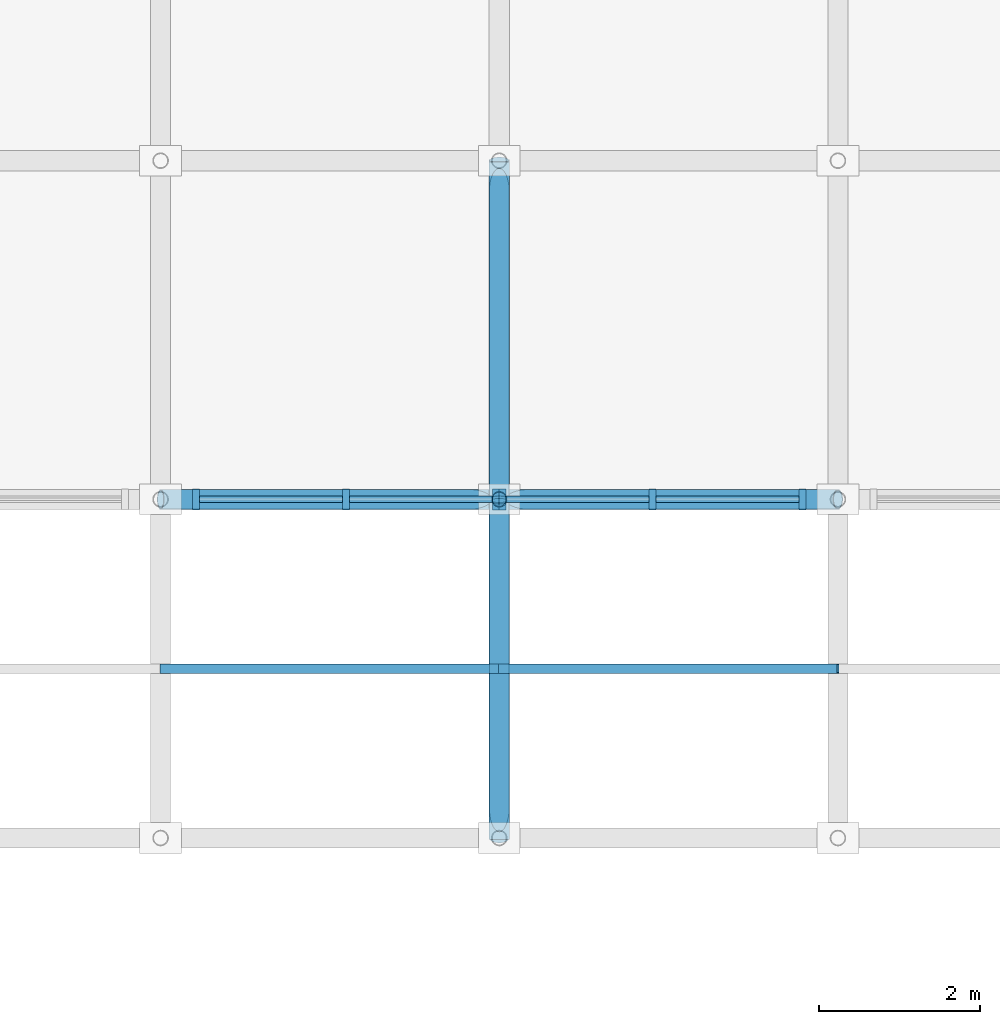
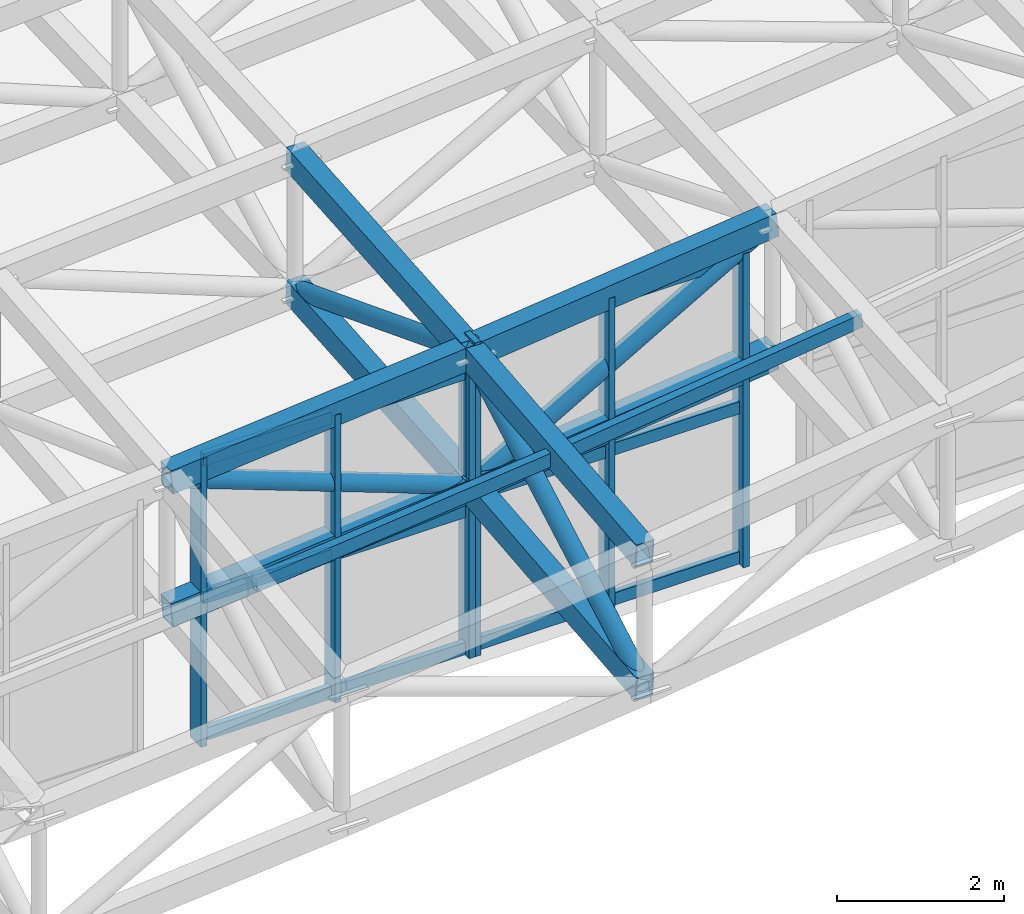
# One storey, part 41 of 111: 33 members, 2 elements without a shape of their own.
"""IFC4 building model written with IfcOpenShell, lengths in metres."""

from ifc_helpers import new_model, si_unit, direction, frame, origin, origin_2d, place, context, subcontext, project, spatial, rectangle, hollow_rectangle, hollow_circle, extrude, material, material_profile, profile_set, type_object, element, aggregate, save


model = new_model("IFC4")

# Units and contexts
model_context = context("Model", 3, precision=1e-05, world=origin(), true_north=direction((0.0, 1.0)))
body_context = subcontext(model_context, "Body", "Model", "MODEL_VIEW")
ifc_project = project(units=[si_unit("LENGTHUNIT", "METRE"), si_unit("AREAUNIT", "SQUARE_METRE"), si_unit("VOLUMEUNIT", "CUBIC_METRE"), si_unit("PLANEANGLEUNIT", "RADIAN"), si_unit("MASSUNIT", "GRAM", prefix="KILO")], contexts=[model_context])

# Site, building, storey
site_placement = place(None, origin())
site = spatial("IfcSite", under=ifc_project, at=site_placement, CompositionType="ELEMENT")
building_placement = place(site_placement, origin())
building = spatial("IfcBuilding", under=site, at=building_placement, Name="Cumbredor Promenade Congress Hotel", CompositionType="ELEMENT")
storey_placement = place(building_placement, frame((0.0, 0.0, 15.1201171875)))
storey = spatial("IfcBuildingStorey", under=building, at=storey_placement, Name="L04", CompositionType="ELEMENT", Elevation=15.1201171875)

# Curtain wall, members
ifc_material_1 = material(Name="Thermally broken anodized aluminium and low-E glass", Category="aluminium")
curtain_wall_type = type_object("IfcCurtainWallType", Name="Stepped Pavilion Clerestory Curtain Wall CW-06", PredefinedType="NOTDEFINED", material=ifc_material_1)
curtain_wall_1_placement = place(storey_placement, origin())
curtain_wall_1 = element("IfcCurtainWall", 1, at=curtain_wall_1_placement, inside=storey, type_object=curtain_wall_type, Name="Pre-Function and Breakout Meeting Forum S Glazed Clerestory 15", PredefinedType="NOTDEFINED")
ifc_material_2 = material(Name="Thermally broken anodized aluminium", Category="aluminium")
ifc_material_profile_1 = material_profile(ifc_material_2, rectangle(XDim=0.0849609375, YDim=0.260009765625, at=origin_2d()), Name="ALU MULLION CLERESTORY 85x260")
ifc_profile_set_1 = profile_set([ifc_material_profile_1], Name="Thermally broken anodized aluminium")
member_type_1 = type_object("IfcMemberType", Name="Curtain Wall Mullion ML-04", PredefinedType="MULLION", material=ifc_profile_set_1)
member_1_placement = place(storey_placement, frame((151.639892578125, 84.0, -0.01806640625), z_axis=(0.0, 0.0, 1.0), x_axis=(1.0, 0.0, 0.0)))
member_1 = element("IfcMember", 2, at=member_1_placement, type_object=member_type_1, Name="Pre-Function and Breakout Meeting Forum S Glazed Clerestory 15 Mullion 1", PredefinedType="MULLION", context=body_context, shape_type="SweptSolid", body=[
    extrude(rectangle(XDim=0.0849609375, YDim=0.260009765625, at=origin_2d()), origin(), (0.0, 0.0, 1.0), 4.221435546875),
])
member_2_placement = place(storey_placement, frame((153.5, 84.0, -0.01806640625), z_axis=(0.0, 0.0, 1.0), x_axis=(1.0, 0.0, 0.0)))
member_2 = element("IfcMember", 3, at=member_2_placement, type_object=member_type_1, Name="Pre-Function and Breakout Meeting Forum S Glazed Clerestory 15 Mullion 2", PredefinedType="MULLION", context=body_context, shape_type="SweptSolid", body=[
    extrude(rectangle(XDim=0.0849609375, YDim=0.260009765625, at=origin_2d()), origin(), (0.0, 0.0, 1.0), 4.221435546875),
])
member_3_placement = place(storey_placement, frame((155.360107421875, 84.0, -0.01806640625), z_axis=(0.0, 0.0, 1.0), x_axis=(1.0, 0.0, 0.0)))
member_3 = element("IfcMember", 4, at=member_3_placement, type_object=member_type_1, Name="Pre-Function and Breakout Meeting Forum S Glazed Clerestory 15 Mullion 3", PredefinedType="MULLION", context=body_context, shape_type="SweptSolid", body=[
    extrude(rectangle(XDim=0.0849609375, YDim=0.260009765625, at=origin_2d()), origin(), (0.0, 0.0, 1.0), 4.221435546875),
])

curtain_wall_2_placement = place(storey_placement, origin())
curtain_wall_2 = element("IfcCurtainWall", 5, at=curtain_wall_2_placement, inside=storey, type_object=curtain_wall_type, Name="Pre-Function and Breakout Meeting Forum S Glazed Clerestory 16", PredefinedType="NOTDEFINED")
member_4_placement = place(storey_placement, frame((155.43994140625, 84.0, -0.01806640625), z_axis=(0.0, 0.0, 1.0), x_axis=(1.0, 0.0, 0.0)))
member_4 = element("IfcMember", 6, at=member_4_placement, type_object=member_type_1, Name="Pre-Function and Breakout Meeting Forum S Glazed Clerestory 16 Mullion 1", PredefinedType="MULLION", context=body_context, shape_type="SweptSolid", body=[
    extrude(rectangle(XDim=0.0849609375, YDim=0.260009765625, at=origin_2d()), origin(), (0.0, 0.0, 1.0), 4.600830078125),
])
member_5_placement = place(storey_placement, frame((157.300048828125, 84.0, -0.01806640625), z_axis=(0.0, 0.0, 1.0), x_axis=(1.0, 0.0, 0.0)))
member_5 = element("IfcMember", 7, at=member_5_placement, type_object=member_type_1, Name="Pre-Function and Breakout Meeting Forum S Glazed Clerestory 16 Mullion 2", PredefinedType="MULLION", context=body_context, shape_type="SweptSolid", body=[
    extrude(rectangle(XDim=0.0849609375, YDim=0.260009765625, at=origin_2d()), origin(), (0.0, 0.0, 1.0), 4.600830078125),
])
member_6_placement = place(storey_placement, frame((159.159912109375, 84.0, -0.01806640625), z_axis=(0.0, 0.0, 1.0), x_axis=(1.0, 0.0, 0.0)))
member_6 = element("IfcMember", 8, at=member_6_placement, type_object=member_type_1, Name="Pre-Function and Breakout Meeting Forum S Glazed Clerestory 16 Mullion 3", PredefinedType="MULLION", context=body_context, shape_type="SweptSolid", body=[
    extrude(rectangle(XDim=0.0849609375, YDim=0.260009765625, at=origin_2d()), origin(), (0.0, 0.0, 1.0), 4.600830078125),
])

# Member
ifc_material_profile_2 = material_profile(ifc_material_2, rectangle(XDim=0.080078125, YDim=0.179931640625, at=origin_2d()), Name="ALU TRANSOM 80x180")
ifc_profile_set_2 = profile_set([ifc_material_profile_2], Name="Thermally broken anodized aluminium")
member_type_2 = type_object("IfcMemberType", Name="Curtain Wall Transom TR-03", PredefinedType="USERDEFINED", material=ifc_profile_set_2)
member_7_placement = place(storey_placement, frame((151.6826171875, 84.0, 0.079833984375), z_axis=(1.0, 0.0, 0.0), x_axis=(0.0, 1.0, 0.0)))
member_7 = element("IfcMember", 9, at=member_7_placement, type_object=member_type_2, Name="Pre-Function and Breakout Meeting Forum S Glazed Clerestory 15 Transom 1.1", ObjectType="TRANSOM", PredefinedType="USERDEFINED", context=body_context, shape_type="SweptSolid", body=[
    extrude(rectangle(XDim=0.080078125, YDim=0.179931640625, at=origin_2d()), origin(), (0.0, 0.0, 1.0), 1.77490234375),
])

member_8_placement = place(storey_placement, frame((151.6826171875, 84.0, 2.08984375), z_axis=(1.0, 0.0, 0.0), x_axis=(0.0, 1.0, 0.0)))
member_8 = element("IfcMember", 10, at=member_8_placement, type_object=member_type_2, Name="Pre-Function and Breakout Meeting Forum S Glazed Clerestory 15 Transom 1.2", ObjectType="TRANSOM", PredefinedType="USERDEFINED", context=body_context, shape_type="SweptSolid", body=[
    extrude(rectangle(XDim=0.080078125, YDim=0.179931640625, at=origin_2d()), origin(), (0.0, 0.0, 1.0), 1.77490234375),
])

member_9_placement = place(storey_placement, frame((151.6826171875, 84.0, 4.10986328125), z_axis=(1.0, 0.0, 0.0), x_axis=(0.0, 1.0, 0.0)))
member_9 = element("IfcMember", 11, at=member_9_placement, type_object=member_type_2, Name="Pre-Function and Breakout Meeting Forum S Glazed Clerestory 15 Transom 1.3", ObjectType="TRANSOM", PredefinedType="USERDEFINED", context=body_context, shape_type="SweptSolid", body=[
    extrude(rectangle(XDim=0.080078125, YDim=0.179931640625, at=origin_2d()), origin(), (0.0, 0.0, 1.0), 1.77490234375),
])

member_10_placement = place(storey_placement, frame((153.54248046875, 84.0, 0.079833984375), z_axis=(1.0, 0.0, 0.0), x_axis=(0.0, 1.0, 0.0)))
member_10 = element("IfcMember", 12, at=member_10_placement, type_object=member_type_2, Name="Pre-Function and Breakout Meeting Forum S Glazed Clerestory 15 Transom 2.1", ObjectType="TRANSOM", PredefinedType="USERDEFINED", context=body_context, shape_type="SweptSolid", body=[
    extrude(rectangle(XDim=0.080078125, YDim=0.179931640625, at=origin_2d()), origin(), (0.0, 0.0, 1.0), 1.77490234375),
])

member_11_placement = place(storey_placement, frame((153.54248046875, 84.0, 2.08984375), z_axis=(1.0, 0.0, 0.0), x_axis=(0.0, 1.0, 0.0)))
member_11 = element("IfcMember", 13, at=member_11_placement, type_object=member_type_2, Name="Pre-Function and Breakout Meeting Forum S Glazed Clerestory 15 Transom 2.2", ObjectType="TRANSOM", PredefinedType="USERDEFINED", context=body_context, shape_type="SweptSolid", body=[
    extrude(rectangle(XDim=0.080078125, YDim=0.179931640625, at=origin_2d()), origin(), (0.0, 0.0, 1.0), 1.77490234375),
])

member_12_placement = place(storey_placement, frame((153.54248046875, 84.0, 4.10986328125), z_axis=(1.0, 0.0, 0.0), x_axis=(0.0, 1.0, 0.0)))
member_12 = element("IfcMember", 14, at=member_12_placement, type_object=member_type_2, Name="Pre-Function and Breakout Meeting Forum S Glazed Clerestory 15 Transom 2.3", ObjectType="TRANSOM", PredefinedType="USERDEFINED", context=body_context, shape_type="SweptSolid", body=[
    extrude(rectangle(XDim=0.080078125, YDim=0.179931640625, at=origin_2d()), origin(), (0.0, 0.0, 1.0), 1.77490234375),
])

aggregate(curtain_wall_1, [member_1, member_2, member_3, member_7, member_8, member_9, member_10, member_11, member_12])

member_13_placement = place(storey_placement, frame((155.482421875, 84.0, 0.079833984375), z_axis=(1.0, 0.0, 0.0), x_axis=(0.0, 1.0, 0.0)))
member_13 = element("IfcMember", 15, at=member_13_placement, type_object=member_type_2, Name="Pre-Function and Breakout Meeting Forum S Glazed Clerestory 16 Transom 1.1", ObjectType="TRANSOM", PredefinedType="USERDEFINED", context=body_context, shape_type="SweptSolid", body=[
    extrude(rectangle(XDim=0.080078125, YDim=0.179931640625, at=origin_2d()), origin(), (0.0, 0.0, 1.0), 1.775146484375),
])

member_14_placement = place(storey_placement, frame((155.482421875, 84.0, 2.27978515625), z_axis=(1.0, 0.0, 0.0), x_axis=(0.0, 1.0, 0.0)))
member_14 = element("IfcMember", 16, at=member_14_placement, type_object=member_type_2, Name="Pre-Function and Breakout Meeting Forum S Glazed Clerestory 16 Transom 1.2", ObjectType="TRANSOM", PredefinedType="USERDEFINED", context=body_context, shape_type="SweptSolid", body=[
    extrude(rectangle(XDim=0.080078125, YDim=0.179931640625, at=origin_2d()), origin(), (0.0, 0.0, 1.0), 1.775146484375),
])

member_15_placement = place(storey_placement, frame((155.482421875, 84.0, 4.47998046875), z_axis=(1.0, 0.0, 0.0), x_axis=(0.0, 1.0, 0.0)))
member_15 = element("IfcMember", 17, at=member_15_placement, type_object=member_type_2, Name="Pre-Function and Breakout Meeting Forum S Glazed Clerestory 16 Transom 1.3", ObjectType="TRANSOM", PredefinedType="USERDEFINED", context=body_context, shape_type="SweptSolid", body=[
    extrude(rectangle(XDim=0.080078125, YDim=0.179931640625, at=origin_2d()), origin(), (0.0, 0.0, 1.0), 1.775146484375),
])

member_16_placement = place(storey_placement, frame((157.342529296875, 84.0, 0.079833984375), z_axis=(1.0, 0.0, 0.0), x_axis=(0.0, 1.0, 0.0)))
member_16 = element("IfcMember", 18, at=member_16_placement, type_object=member_type_2, Name="Pre-Function and Breakout Meeting Forum S Glazed Clerestory 16 Transom 2.1", ObjectType="TRANSOM", PredefinedType="USERDEFINED", context=body_context, shape_type="SweptSolid", body=[
    extrude(rectangle(XDim=0.080078125, YDim=0.179931640625, at=origin_2d()), origin(), (0.0, 0.0, 1.0), 1.77490234375),
])

member_17_placement = place(storey_placement, frame((157.342529296875, 84.0, 2.27978515625), z_axis=(1.0, 0.0, 0.0), x_axis=(0.0, 1.0, 0.0)))
member_17 = element("IfcMember", 19, at=member_17_placement, type_object=member_type_2, Name="Pre-Function and Breakout Meeting Forum S Glazed Clerestory 16 Transom 2.2", ObjectType="TRANSOM", PredefinedType="USERDEFINED", context=body_context, shape_type="SweptSolid", body=[
    extrude(rectangle(XDim=0.080078125, YDim=0.179931640625, at=origin_2d()), origin(), (0.0, 0.0, 1.0), 1.77490234375),
])

member_18_placement = place(storey_placement, frame((157.342529296875, 84.0, 4.47998046875), z_axis=(1.0, 0.0, 0.0), x_axis=(0.0, 1.0, 0.0)))
member_18 = element("IfcMember", 20, at=member_18_placement, type_object=member_type_2, Name="Pre-Function and Breakout Meeting Forum S Glazed Clerestory 16 Transom 2.3", ObjectType="TRANSOM", PredefinedType="USERDEFINED", context=body_context, shape_type="SweptSolid", body=[
    extrude(rectangle(XDim=0.080078125, YDim=0.179931640625, at=origin_2d()), origin(), (0.0, 0.0, 1.0), 1.77490234375),
])

aggregate(curtain_wall_2, [member_4, member_5, member_6, member_13, member_14, member_15, member_16, member_17, member_18])

# Members
ifc_material_3 = material(Name="Steel ASTM A500 Grade C", Category="steel")
ifc_material_profile_3 = material_profile(ifc_material_3, hollow_rectangle(XDim=0.25, YDim=0.35009765625, WallThickness=0.01611328125, at=origin_2d()), Name="HSS 350x250x16")
ifc_profile_set_3 = profile_set([ifc_material_profile_3], Name="Steel ASTM A500 Grade C")
member_type_3 = type_object("IfcMemberType", Name="Forum Roof Truss Chord", PredefinedType="CHORD", material=ifc_profile_set_3)
for number, where, z_axis, x_axis, name in (
    (21, (151.199951171875, 84.0, 4.00244140625), (0.995944768606, 0.0, 0.089966759892), (0.0, 1.0, 0.0), "Pre-Function and Breakout Meeting Forum X Top Chord 16.2"),
    (22, (151.199951171875, 84.0, 2.052490234375), (0.995944768606, 0.0, 0.089966759892), (0.0, 1.0, 0.0), "Pre-Function and Breakout Meeting Forum X Bottom Chord 16.2"),
):
    element("IfcMember", number, at=place(storey_placement, frame(where, z_axis=z_axis, x_axis=x_axis)), inside=storey, type_object=member_type_3, Name=name, PredefinedType="CHORD", context=body_context, shape_type="SweptSolid", body=[
        extrude(hollow_rectangle(XDim=0.25, YDim=0.35009765625, WallThickness=0.01611328125, at=origin_2d()), origin(), (0.0, 0.0, 1.0), 4.217041015625),
    ])
for number, where, z_axis, x_axis, name in (
    (23, (155.39990234375, 84.0, 4.3818359375), (0.993963093298, 0.0, 0.109714945023), (0.0, 1.0, 0.0), "Pre-Function and Breakout Meeting Forum X Top Chord 17.2"),
    (24, (155.39990234375, 84.0, 2.431884765625), (0.993969392226, 0.0, 0.109657864825), (0.0, 1.0, 0.0), "Pre-Function and Breakout Meeting Forum X Bottom Chord 17.2"),
):
    element("IfcMember", number, at=place(storey_placement, frame(where, z_axis=z_axis, x_axis=x_axis)), inside=storey, type_object=member_type_3, Name=name, PredefinedType="CHORD", context=body_context, shape_type="SweptSolid", body=[
        extrude(hollow_rectangle(XDim=0.25, YDim=0.35009765625, WallThickness=0.01611328125, at=origin_2d()), origin(), (0.0, 0.0, 1.0), 4.2255859375),
    ])
for number, where, z_axis, x_axis, name in (
    (25, (155.39990234375, 79.800048828125, 3.965576171875), (0.0, 0.995124432433, 0.098627399715), (-1.0, 0.0, 0.0), "Pre-Function and Breakout Meeting Forum Y Top Chord 17.1"),
    (26, (155.39990234375, 79.800048828125, 2.015625), (0.0, 0.995124432433, 0.098627399715), (-1.0, 0.0, 0.0), "Pre-Function and Breakout Meeting Forum Y Bottom Chord 17.1"),
):
    element("IfcMember", number, at=place(storey_placement, frame(where, z_axis=z_axis, x_axis=x_axis)), inside=storey, type_object=member_type_3, Name=name, PredefinedType="CHORD", context=body_context, shape_type="SweptSolid", body=[
        extrude(hollow_rectangle(XDim=0.25, YDim=0.35009765625, WallThickness=0.01611328125, at=origin_2d()), origin(), (0.0, 0.0, 1.0), 4.220458984375),
    ])
for number, where, z_axis, x_axis, name in (
    (27, (155.39990234375, 84.0, 4.3818359375), (0.0, 0.997020295126, 0.077139685683), (-1.0, 0.0, 0.0), "Pre-Function and Breakout Meeting Forum Y Top Chord 17.2"),
    (28, (155.39990234375, 84.0, 2.431884765625), (0.0, 0.997020295126, 0.077139685683), (-1.0, 0.0, 0.0), "Pre-Function and Breakout Meeting Forum Y Bottom Chord 17.2"),
):
    element("IfcMember", number, at=place(storey_placement, frame(where, z_axis=z_axis, x_axis=x_axis)), inside=storey, type_object=member_type_3, Name=name, PredefinedType="CHORD", context=body_context, shape_type="SweptSolid", body=[
        extrude(hollow_rectangle(XDim=0.25, YDim=0.35009765625, WallThickness=0.01611328125, at=origin_2d()), origin(), (0.0, 0.0, 1.0), 4.21240234375),
    ])
ifc_material_profile_4 = material_profile(ifc_material_3, hollow_rectangle(XDim=0.1201171875, YDim=0.199951171875, WallThickness=0.010009765625, at=origin_2d()), Name="HSS 200x120x10")
ifc_profile_set_4 = profile_set([ifc_material_profile_4], Name="Steel ASTM A500 Grade C")
member_type_4 = type_object("IfcMemberType", Name="Roof Purlin HSS200x120", PredefinedType="PURLIN", material=ifc_profile_set_4)
member_19_placement = place(storey_placement, frame((151.199951171875, 81.89990234375, 3.72607421875), z_axis=(0.994859855407, 0.0, 0.101261385039), x_axis=(0.0, 1.0, 0.0)))
element("IfcMember", 29, at=member_19_placement, inside=storey, type_object=member_type_4, Name="Pre-Function and Breakout Meeting Forum Roof Eave Purlin 16.1", PredefinedType="PURLIN", context=body_context, shape_type="SweptSolid", body=[
    extrude(hollow_rectangle(XDim=0.1201171875, YDim=0.199951171875, WallThickness=0.010009765625, at=origin_2d()), origin(), (0.0, 0.0, 1.0), 4.2216796875),
])
member_20_placement = place(storey_placement, frame((155.39990234375, 81.89990234375, 4.153564453125), z_axis=(0.992345172514, 0.0, 0.123495176375), x_axis=(0.0, 1.0, 0.0)))
element("IfcMember", 30, at=member_20_placement, inside=storey, type_object=member_type_4, Name="Pre-Function and Breakout Meeting Forum Roof Eave Purlin 17.1", PredefinedType="PURLIN", context=body_context, shape_type="SweptSolid", body=[
    extrude(hollow_rectangle(XDim=0.1201171875, YDim=0.199951171875, WallThickness=0.010009765625, at=origin_2d()), origin(), (0.0, 0.0, 1.0), 4.232666015625),
])
ifc_material_profile_5 = material_profile(ifc_material_3, hollow_circle(Radius=0.122314453125, WallThickness=0.012451171875, at=origin_2d()), Name="CHS 244.5x12.5")
ifc_profile_set_5 = profile_set([ifc_material_profile_5], Name="Steel ASTM A500 Grade C")
member_type_5 = type_object("IfcMemberType", Name="Space Frame Web Diagonal D2", PredefinedType="BRACE", material=ifc_profile_set_5)
member_21_placement = place(storey_placement, frame((151.199951171875, 84.0, 4.00244140625), z_axis=(0.93665322281, 0.0, -0.350258105117), x_axis=(0.0, 1.0, 0.0)))
element("IfcMember", 31, at=member_21_placement, inside=storey, type_object=member_type_5, Name="Pre-Function and Breakout Meeting Forum X Web Diagonal 16.2", PredefinedType="BRACE", context=body_context, shape_type="SweptSolid", body=[
    extrude(hollow_circle(Radius=0.122314453125, WallThickness=0.012451171875, at=origin_2d()), origin(), (0.0, 0.0, 1.0), 4.48388671875),
])
member_22_placement = place(storey_placement, frame((155.39990234375, 84.0, 2.431884765625), z_axis=(0.867043473391, 0.0, 0.498232491162), x_axis=(0.0, 1.0, 0.0)))
element("IfcMember", 32, at=member_22_placement, inside=storey, type_object=member_type_5, Name="Pre-Function and Breakout Meeting Forum X Web Diagonal 17.2", PredefinedType="BRACE", context=body_context, shape_type="SweptSolid", body=[
    extrude(hollow_circle(Radius=0.122314453125, WallThickness=0.012451171875, at=origin_2d()), origin(), (0.0, 0.0, 1.0), 4.84423828125),
])
member_23_placement = place(storey_placement, frame((155.39990234375, 79.800048828125, 2.015625), z_axis=(0.0, 0.871243967196, 0.490850231359), x_axis=(-1.0, 0.0, 0.0)))
element("IfcMember", 33, at=member_23_placement, inside=storey, type_object=member_type_5, Name="Pre-Function and Breakout Meeting Forum Y Web Diagonal 17.1", PredefinedType="BRACE", context=body_context, shape_type="SweptSolid", body=[
    extrude(hollow_circle(Radius=0.122314453125, WallThickness=0.012451171875, at=origin_2d()), origin(), (0.0, 0.0, 1.0), 4.820556640625),
])
member_24_placement = place(storey_placement, frame((155.39990234375, 84.0, 4.3818359375), z_axis=(0.0, 0.932626959764, -0.36084200687), x_axis=(-1.0, 0.0, 0.0)))
element("IfcMember", 34, at=member_24_placement, inside=storey, type_object=member_type_5, Name="Pre-Function and Breakout Meeting Forum Y Web Diagonal 17.2", PredefinedType="BRACE", context=body_context, shape_type="SweptSolid", body=[
    extrude(hollow_circle(Radius=0.122314453125, WallThickness=0.012451171875, at=origin_2d()), origin(), (0.0, 0.0, 1.0), 4.50341796875),
])
ifc_material_profile_6 = material_profile(ifc_material_3, hollow_circle(Radius=0.096923828125, WallThickness=0.010009765625, at=origin_2d()), Name="CHS 193.7x10")
ifc_profile_set_6 = profile_set([ifc_material_profile_6], Name="Steel ASTM A500 Grade C")
member_type_6 = type_object("IfcMemberType", Name="Space Frame Web Post P1", PredefinedType="BRACE", material=ifc_profile_set_6)
member_25_placement = place(storey_placement, frame((155.39990234375, 84.0, 2.431884765625), z_axis=(0.0, 0.0, 1.0), x_axis=(1.0, 0.0, 0.0)))
element("IfcMember", 35, at=member_25_placement, inside=storey, type_object=member_type_6, Name="Pre-Function and Breakout Meeting Forum Space Frame Web Post 17.2", PredefinedType="BRACE", context=body_context, shape_type="SweptSolid", body=[
    extrude(hollow_circle(Radius=0.096923828125, WallThickness=0.010009765625, at=origin_2d()), origin(), (0.0, 0.0, 1.0), 1.949951171875),
])

save(model, "model.ifc")
